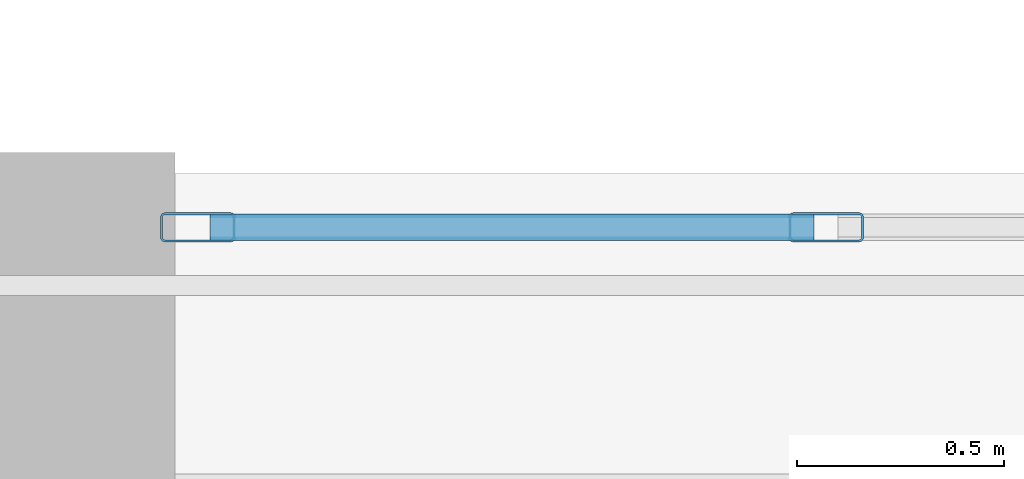
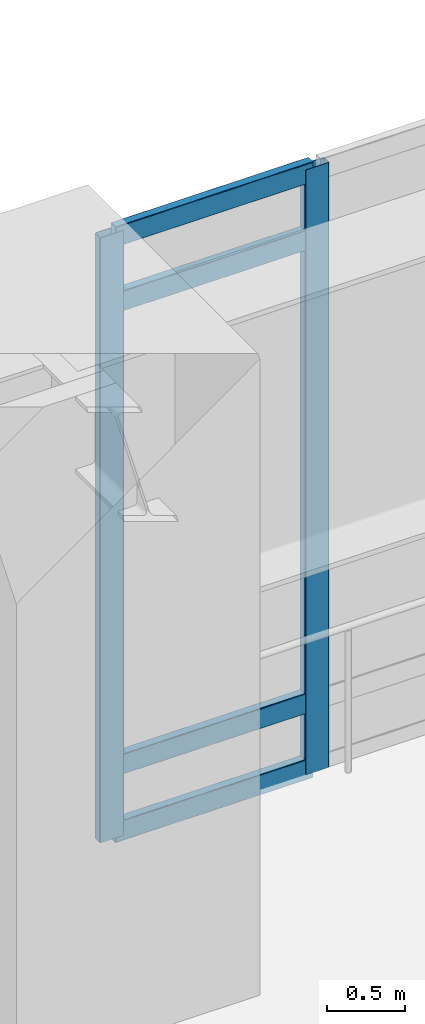
# One storey, part 4 of 26: 6 members, 1 element without a shape of its own.
"""IFC4 building model written with IfcOpenShell, lengths in metres."""

from ifc_helpers import new_model, si_unit, direction, frame, origin, origin_2d, place, context, subcontext, project, spatial, hollow_rectangle, extrude, material, layer, layer_set, material_profile, profile_set, type_object, element, aggregate, save


model = new_model("IFC4")

# Units and contexts
model_context = context("Model", 3, precision=1e-05, world=origin(), true_north=direction((0.0, 1.0)))
body_context = subcontext(model_context, "Body", "Model", "MODEL_VIEW")
ifc_project = project(units=[si_unit("LENGTHUNIT", "METRE"), si_unit("AREAUNIT", "SQUARE_METRE"), si_unit("VOLUMEUNIT", "CUBIC_METRE"), si_unit("PLANEANGLEUNIT", "RADIAN"), si_unit("MASSUNIT", "GRAM", prefix="KILO")], contexts=[model_context])

# Site, building, storey
site_placement = place(None, origin())
site = spatial("IfcSite", under=ifc_project, at=site_placement, CompositionType="ELEMENT")
building_placement = place(site_placement, origin())
building = spatial("IfcBuilding", under=site, at=building_placement, Name="Ndelora Gate Hotel", CompositionType="ELEMENT")
storey_placement = place(building_placement, frame((0.0, 0.0, 6.0)))
storey = spatial("IfcBuildingStorey", under=building, at=storey_placement, Name="L01", CompositionType="ELEMENT", Elevation=6.0)

# Curtain wall, members
ifc_material_1 = material(Name="Bronze Anodised Unitised Aluminium and Low-E Glass", Category="aluminium")
ifc_layer = layer(ifc_material_1, 0.239990234375)
ifc_layer_set = layer_set([ifc_layer], Name="Bronze Anodised Unitised Aluminium and Low-E Glass")
curtain_wall_type = type_object("IfcCurtainWallType", Name="CW-SYS-1", PredefinedType="NOTDEFINED", material=ifc_layer_set)
curtain_wall_placement = place(storey_placement, origin())
curtain_wall = element("IfcCurtainWall", 1, at=curtain_wall_placement, inside=storey, type_object=curtain_wall_type, Name="L01 North Portal Arch Concourse Curtain Wall CW1", PredefinedType="NOTDEFINED")
ifc_material_2 = material(Name="Bronze Anodised Aluminium 6063-T6", Category="aluminium")
ifc_material_profile_1 = material_profile(ifc_material_2, hollow_rectangle(XDim=0.070068359375, YDim=0.179931640625, WallThickness=0.0048828125, InnerFilletRadius=0.0048828125, OuterFilletRadius=0.010009765625, at=origin_2d()), Name="ALU 180x70x5")
ifc_profile_set_1 = profile_set([ifc_material_profile_1], Name="Bronze Anodised Aluminium 6063-T6")
member_type_1 = type_object("IfcMemberType", Name="MB-CW-MUL180", PredefinedType="MULLION", material=ifc_profile_set_1)
member_1_placement = place(storey_placement, frame((-8.529296875, 10.320068359375, -0.00390625), z_axis=(0.0, 0.0, 1.0), x_axis=(0.0, -1.0, 0.0)))
member_1 = element("IfcMember", 2, at=member_1_placement, type_object=member_type_1, Name="CW1 mullion 13", PredefinedType="MULLION", context=body_context, shape_type="SweptSolid", body=[
    extrude(hollow_rectangle(XDim=0.070068359375, YDim=0.179931640625, WallThickness=0.0048828125, InnerFilletRadius=0.0048828125, OuterFilletRadius=0.010009765625, at=origin_2d()), origin(), (0.0, 0.0, 1.0), 4.72802734375),
])
member_2_placement = place(storey_placement, frame((-10.044921875, 10.320068359375, -0.00390625), z_axis=(0.0, 0.0, 1.0), x_axis=(0.0, -1.0, 0.0)))
member_2 = element("IfcMember", 3, at=member_2_placement, type_object=member_type_1, Name="CW1 mullion 14", PredefinedType="MULLION", context=body_context, shape_type="SweptSolid", body=[
    extrude(hollow_rectangle(XDim=0.070068359375, YDim=0.179931640625, WallThickness=0.0048828125, InnerFilletRadius=0.0048828125, OuterFilletRadius=0.010009765625, at=origin_2d()), origin(), (0.0, 0.0, 1.0), 4.72802734375),
])
ifc_material_profile_2 = material_profile(ifc_material_2, hollow_rectangle(XDim=0.06494140625, YDim=0.159912109375, WallThickness=0.00390625, InnerFilletRadius=0.00390625, OuterFilletRadius=0.008056640625, at=origin_2d()), Name="ALU 160x65x4")
ifc_profile_set_2 = profile_set([ifc_material_profile_2], Name="Bronze Anodised Aluminium 6063-T6")
member_type_2 = type_object("IfcMemberType", Name="MB-CW-TRN150", PredefinedType="USERDEFINED", material=ifc_profile_set_2)
member_3_placement = place(storey_placement, frame((-8.558349609375, 10.320068359375, 0.032470703125), z_axis=(-1.0, 0.0, 0.0), x_axis=(0.0, -1.0, 0.0)))
member_3 = element("IfcMember", 4, at=member_3_placement, type_object=member_type_2, Name="CW1 transom 13.1", ObjectType="TRANSOM", PredefinedType="USERDEFINED", context=body_context, shape_type="SweptSolid", body=[
    extrude(hollow_rectangle(XDim=0.06494140625, YDim=0.159912109375, WallThickness=0.00390625, InnerFilletRadius=0.00390625, OuterFilletRadius=0.008056640625, at=origin_2d()), origin(), (0.0, 0.0, 1.0), 1.457763671875),
])
member_4_placement = place(storey_placement, frame((-8.558349609375, 10.320068359375, 0.550048828125), z_axis=(-1.0, 0.0, 0.0), x_axis=(0.0, -1.0, 0.0)))
member_4 = element("IfcMember", 5, at=member_4_placement, type_object=member_type_2, Name="CW1 transom 13.2", ObjectType="TRANSOM", PredefinedType="USERDEFINED", context=body_context, shape_type="SweptSolid", body=[
    extrude(hollow_rectangle(XDim=0.06494140625, YDim=0.159912109375, WallThickness=0.00390625, InnerFilletRadius=0.00390625, OuterFilletRadius=0.008056640625, at=origin_2d()), origin(), (0.0, 0.0, 1.0), 1.457763671875),
])
member_5_placement = place(storey_placement, frame((-8.558349609375, 10.320068359375, 4.169921875), z_axis=(-1.0, 0.0, 0.0), x_axis=(0.0, -1.0, 0.0)))
member_5 = element("IfcMember", 6, at=member_5_placement, type_object=member_type_2, Name="CW1 transom 13.3", ObjectType="TRANSOM", PredefinedType="USERDEFINED", context=body_context, shape_type="SweptSolid", body=[
    extrude(hollow_rectangle(XDim=0.06494140625, YDim=0.159912109375, WallThickness=0.00390625, InnerFilletRadius=0.00390625, OuterFilletRadius=0.008056640625, at=origin_2d()), origin(), (0.0, 0.0, 1.0), 1.457763671875),
])
member_6_placement = place(storey_placement, frame((-8.558349609375, 10.320068359375, 4.6875), z_axis=(-1.0, 0.0, 0.0), x_axis=(0.0, -1.0, 0.0)))
member_6 = element("IfcMember", 7, at=member_6_placement, type_object=member_type_2, Name="CW1 transom 13.4", ObjectType="TRANSOM", PredefinedType="USERDEFINED", context=body_context, shape_type="SweptSolid", body=[
    extrude(hollow_rectangle(XDim=0.06494140625, YDim=0.159912109375, WallThickness=0.00390625, InnerFilletRadius=0.00390625, OuterFilletRadius=0.008056640625, at=origin_2d()), origin(), (0.0, 0.0, 1.0), 1.457763671875),
])
aggregate(curtain_wall, [member_1, member_2, member_3, member_4, member_5, member_6])

save(model, "model.ifc")
